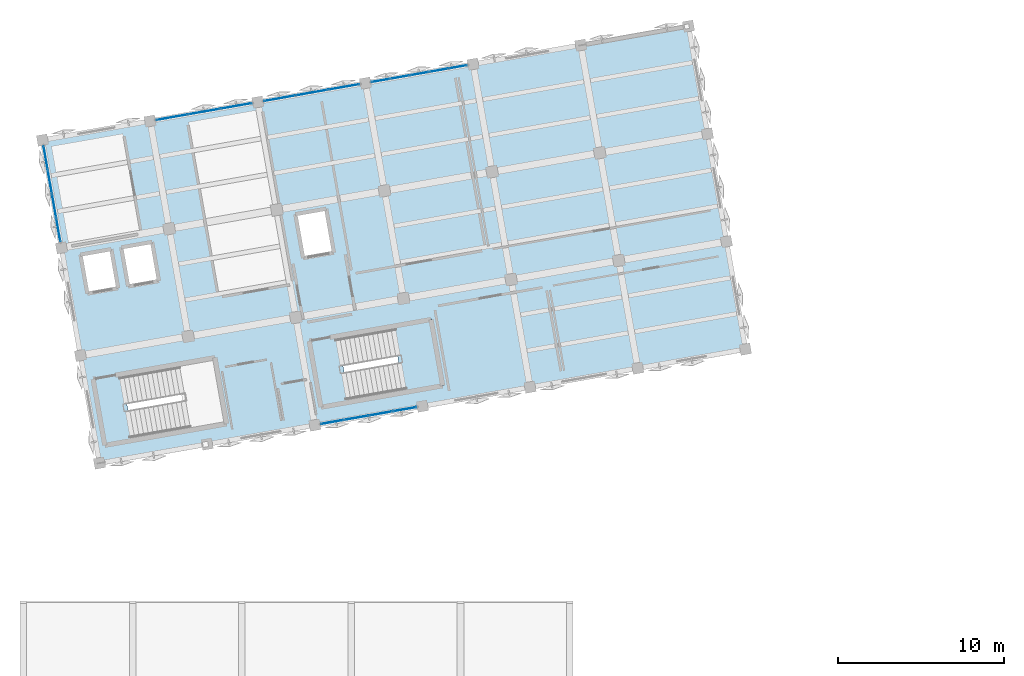
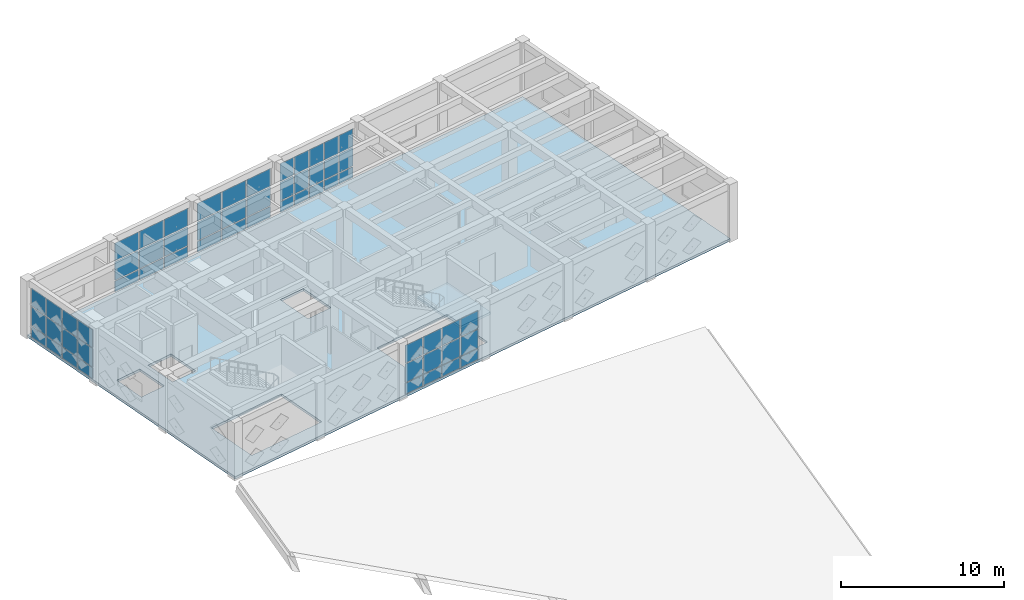
# One storey, part 23 of 39: 57 plates, 2 slabs, 6 elements without a shape of their own.
"""IFC4 building model written with IfcOpenShell, lengths in metres."""

from ifc_helpers import new_model, si_unit, direction, frame, origin, origin_2d, place, context, subcontext, project, spatial, polyline, rectangle, outline, extrude, material, layer, layer_set, type_object, element, aggregate, save


model = new_model("IFC4")

# Units and contexts
model_context = context("Model", 3, precision=1e-05, world=origin(), true_north=direction((0.0, 1.0)))
body_context = subcontext(model_context, "Body", "Model", "MODEL_VIEW")
ifc_project = project(units=[si_unit("LENGTHUNIT", "METRE"), si_unit("AREAUNIT", "SQUARE_METRE"), si_unit("VOLUMEUNIT", "CUBIC_METRE"), si_unit("PLANEANGLEUNIT", "RADIAN"), si_unit("MASSUNIT", "GRAM", prefix="KILO")], contexts=[model_context])

# Site, building, storey
site_placement = place(None, origin())
site = spatial("IfcSite", under=ifc_project, at=site_placement, CompositionType="ELEMENT")
building_placement = place(site_placement, origin())
building = spatial("IfcBuilding", under=site, at=building_placement, Name="Kharisveld Research Institute", CompositionType="ELEMENT")
storey_placement = place(building_placement, frame((0.0, 0.0, 23.10009765625)))
storey = spatial("IfcBuildingStorey", under=building, at=storey_placement, Name="L05", CompositionType="ELEMENT", Elevation=23.10009765625)

# Curtain wall, plates
ifc_material_1 = material(Name="Thermally Broken Aluminium Curtain Wall", Category="aluminium")
ifc_layer_1 = layer(ifc_material_1, 0.159912109375)
ifc_layer_set_1 = layer_set([ifc_layer_1], Name="CW_SYS_04")
curtain_wall_type_1 = type_object("IfcCurtainWallType", Name="CW_SYS_04", PredefinedType="NOTDEFINED", material=ifc_layer_set_1)
curtain_wall_1_placement = place(storey_placement, origin())
curtain_wall_1 = element("IfcCurtainWall", 1, at=curtain_wall_1_placement, inside=storey, type_object=curtain_wall_type_1, Name="CW:V1:L05:W2", PredefinedType="NOTDEFINED")
ifc_material_2 = material(Name="Low-E Double Glazing", Category="glass")
ifc_layer_2 = layer(ifc_material_2, 0.028076171875)
ifc_layer_set_2 = layer_set([ifc_layer_2], Name="CW_PNL_GLZ")
plate_type_1 = type_object("IfcPlateType", Name="CW_PNL_GLZ", PredefinedType="CURTAIN_PANEL", material=ifc_layer_set_2)
plate_1_placement = place(storey_placement, frame((2.719970703125, 49.075439453125, 0.06494140625), z_axis=(0.0, 0.0, 1.0), x_axis=(-0.173648266375, 0.984807737371, 0.0)))
plate_1 = element("IfcPlate", 2, at=plate_1_placement, type_object=plate_type_1, Name="CW-04 panel 1.1", PredefinedType="CURTAIN_PANEL", context=body_context, shape_type="SweptSolid", body=[
    extrude(rectangle(XDim=1.385009765625, YDim=0.028076171875, at=origin_2d()), origin(), (0.0, 0.0, 1.0), 0.802490234375),
])
plate_2_placement = place(storey_placement, frame((2.719970703125, 49.075439453125, 0.9326171875), z_axis=(0.0, 0.0, 1.0), x_axis=(-0.173648266375, 0.984807737371, 0.0)))
plate_2 = element("IfcPlate", 3, at=plate_2_placement, type_object=plate_type_1, Name="CW-04 panel 1.2", PredefinedType="CURTAIN_PANEL", context=body_context, shape_type="SweptSolid", body=[
    extrude(rectangle(XDim=1.385009765625, YDim=0.028076171875, at=origin_2d()), origin(), (0.0, 0.0, 1.0), 1.385009765625),
])
plate_3_placement = place(storey_placement, frame((2.719970703125, 49.075439453125, 2.38232421875), z_axis=(0.0, 0.0, 1.0), x_axis=(-0.173648266375, 0.984807737371, 0.0)))
plate_3 = element("IfcPlate", 4, at=plate_3_placement, type_object=plate_type_1, Name="CW-04 panel 1.3", PredefinedType="CURTAIN_PANEL", context=body_context, shape_type="SweptSolid", body=[
    extrude(rectangle(XDim=1.385009765625, YDim=0.028076171875, at=origin_2d()), origin(), (0.0, 0.0, 1.0), 1.33251953125),
])
plate_4_placement = place(storey_placement, frame((2.464111328125, 50.525634765625, 0.06494140625), z_axis=(0.0, 0.0, 1.0), x_axis=(-0.173648266375, 0.984807737371, 0.0)))
plate_4 = element("IfcPlate", 5, at=plate_4_placement, type_object=plate_type_1, Name="CW-04 panel 2.1", PredefinedType="CURTAIN_PANEL", context=body_context, shape_type="SweptSolid", body=[
    extrude(rectangle(XDim=1.419921875, YDim=0.028076171875, at=origin_2d()), origin(), (0.0, 0.0, 1.0), 0.802490234375),
])
plate_5_placement = place(storey_placement, frame((2.464111328125, 50.525634765625, 0.9326171875), z_axis=(0.0, 0.0, 1.0), x_axis=(-0.173648266375, 0.984807737371, 0.0)))
plate_5 = element("IfcPlate", 6, at=plate_5_placement, type_object=plate_type_1, Name="CW-04 panel 2.2", PredefinedType="CURTAIN_PANEL", context=body_context, shape_type="SweptSolid", body=[
    extrude(rectangle(XDim=1.419921875, YDim=0.028076171875, at=origin_2d()), origin(), (0.0, 0.0, 1.0), 1.385009765625),
])
plate_6_placement = place(storey_placement, frame((2.464111328125, 50.525634765625, 2.38232421875), z_axis=(0.0, 0.0, 1.0), x_axis=(-0.173648266375, 0.984807737371, 0.0)))
plate_6 = element("IfcPlate", 7, at=plate_6_placement, type_object=plate_type_1, Name="CW-04 panel 2.3", PredefinedType="CURTAIN_PANEL", context=body_context, shape_type="SweptSolid", body=[
    extrude(rectangle(XDim=1.419921875, YDim=0.028076171875, at=origin_2d()), origin(), (0.0, 0.0, 1.0), 1.33251953125),
])
plate_7_placement = place(storey_placement, frame((2.205322265625, 51.992919921875, 0.06494140625), z_axis=(0.0, 0.0, 1.0), x_axis=(-0.173648266375, 0.984807737371, 0.0)))
plate_7 = element("IfcPlate", 8, at=plate_7_placement, type_object=plate_type_1, Name="CW-04 panel 3.1", PredefinedType="CURTAIN_PANEL", context=body_context, shape_type="SweptSolid", body=[
    extrude(rectangle(XDim=1.419921875, YDim=0.028076171875, at=origin_2d()), origin(), (0.0, 0.0, 1.0), 0.802490234375),
])
plate_8_placement = place(storey_placement, frame((2.205322265625, 51.992919921875, 0.9326171875), z_axis=(0.0, 0.0, 1.0), x_axis=(-0.173648266375, 0.984807737371, 0.0)))
plate_8 = element("IfcPlate", 9, at=plate_8_placement, type_object=plate_type_1, Name="CW-04 panel 3.2", PredefinedType="CURTAIN_PANEL", context=body_context, shape_type="SweptSolid", body=[
    extrude(rectangle(XDim=1.419921875, YDim=0.028076171875, at=origin_2d()), origin(), (0.0, 0.0, 1.0), 1.385009765625),
])
plate_9_placement = place(storey_placement, frame((2.205322265625, 51.992919921875, 2.38232421875), z_axis=(0.0, 0.0, 1.0), x_axis=(-0.173648266375, 0.984807737371, 0.0)))
plate_9 = element("IfcPlate", 10, at=plate_9_placement, type_object=plate_type_1, Name="CW-04 panel 3.3", PredefinedType="CURTAIN_PANEL", context=body_context, shape_type="SweptSolid", body=[
    extrude(rectangle(XDim=1.419921875, YDim=0.028076171875, at=origin_2d()), origin(), (0.0, 0.0, 1.0), 1.33251953125),
])
plate_10_placement = place(storey_placement, frame((1.94970703125, 53.443115234375, 0.06494140625), z_axis=(0.0, 0.0, 1.0), x_axis=(-0.173648266375, 0.984807737371, 0.0)))
plate_10 = element("IfcPlate", 11, at=plate_10_placement, type_object=plate_type_1, Name="CW-04 panel 4.1", PredefinedType="CURTAIN_PANEL", context=body_context, shape_type="SweptSolid", body=[
    extrude(rectangle(XDim=1.385009765625, YDim=0.028076171875, at=origin_2d()), origin(), (0.0, 0.0, 1.0), 0.802490234375),
])
plate_11_placement = place(storey_placement, frame((1.94970703125, 53.443115234375, 0.9326171875), z_axis=(0.0, 0.0, 1.0), x_axis=(-0.173648266375, 0.984807737371, 0.0)))
plate_11 = element("IfcPlate", 12, at=plate_11_placement, type_object=plate_type_1, Name="CW-04 panel 4.2", PredefinedType="CURTAIN_PANEL", context=body_context, shape_type="SweptSolid", body=[
    extrude(rectangle(XDim=1.385009765625, YDim=0.028076171875, at=origin_2d()), origin(), (0.0, 0.0, 1.0), 1.385009765625),
])
plate_12_placement = place(storey_placement, frame((1.94970703125, 53.443115234375, 2.38232421875), z_axis=(0.0, 0.0, 1.0), x_axis=(-0.173648266375, 0.984807737371, 0.0)))
plate_12 = element("IfcPlate", 13, at=plate_12_placement, type_object=plate_type_1, Name="CW-04 panel 4.3", PredefinedType="CURTAIN_PANEL", context=body_context, shape_type="SweptSolid", body=[
    extrude(rectangle(XDim=1.385009765625, YDim=0.028076171875, at=origin_2d()), origin(), (0.0, 0.0, 1.0), 1.33251953125),
])
aggregate(curtain_wall_1, [plate_1, plate_2, plate_3, plate_4, plate_5, plate_6, plate_7, plate_8, plate_9, plate_10, plate_11, plate_12])

ifc_material_3 = material(Name="Thermally Broken Aluminium Curtain Wall", Category="aluminium")
ifc_layer_3 = layer(ifc_material_3, 0.159912109375)
ifc_layer_set_3 = layer_set([ifc_layer_3], Name="CW_SYS_05")
curtain_wall_type_2 = type_object("IfcCurtainWallType", Name="CW_SYS_05", PredefinedType="NOTDEFINED", material=ifc_layer_set_3)
curtain_wall_2_placement = place(storey_placement, origin())
curtain_wall_2 = element("IfcCurtainWall", 14, at=curtain_wall_2_placement, inside=storey, type_object=curtain_wall_type_2, Name="CW:V1:L05:N1", PredefinedType="NOTDEFINED")
plate_13_placement = place(storey_placement, frame((9.572021484375, 55.886474609375, 0.06494140625), z_axis=(0.0, 0.0, 1.0), x_axis=(0.984807732312, 0.173648295062, 0.0)))
plate_13 = element("IfcPlate", 15, at=plate_13_placement, type_object=plate_type_1, Name="CW-05 panel 1.1", PredefinedType="CURTAIN_PANEL", context=body_context, shape_type="SweptSolid", body=[
    extrude(rectangle(XDim=1.881591796875, YDim=0.028076171875, at=origin_2d()), origin(), (0.0, 0.0, 1.0), 0.802490234375),
])
plate_14_placement = place(storey_placement, frame((9.572021484375, 55.886474609375, 0.9326171875), z_axis=(0.0, 0.0, 1.0), x_axis=(0.984807732312, 0.173648295062, 0.0)))
plate_14 = element("IfcPlate", 16, at=plate_14_placement, type_object=plate_type_1, Name="CW-05 panel 1.2", PredefinedType="CURTAIN_PANEL", context=body_context, shape_type="SweptSolid", body=[
    extrude(rectangle(XDim=1.881591796875, YDim=0.028076171875, at=origin_2d()), origin(), (0.0, 0.0, 1.0), 1.385009765625),
])
plate_15_placement = place(storey_placement, frame((9.572021484375, 55.886474609375, 2.38232421875), z_axis=(0.0, 0.0, 1.0), x_axis=(0.984807732312, 0.173648295062, 0.0)))
plate_15 = element("IfcPlate", 17, at=plate_15_placement, type_object=plate_type_1, Name="CW-05 panel 1.3", PredefinedType="CURTAIN_PANEL", context=body_context, shape_type="SweptSolid", body=[
    extrude(rectangle(XDim=1.881591796875, YDim=0.028076171875, at=origin_2d()), origin(), (0.0, 0.0, 1.0), 1.33251953125),
])
plate_16_placement = place(storey_placement, frame((11.511474609375, 56.228271484375, 0.06494140625), z_axis=(0.0, 0.0, 1.0), x_axis=(0.984807732312, 0.173648295062, 0.0)))
plate_16 = element("IfcPlate", 18, at=plate_16_placement, type_object=plate_type_1, Name="CW-05 panel 2.1", PredefinedType="CURTAIN_PANEL", context=body_context, shape_type="SweptSolid", body=[
    extrude(rectangle(XDim=1.916748046875, YDim=0.028076171875, at=origin_2d()), origin(), (0.0, 0.0, 1.0), 0.802490234375),
])
plate_17_placement = place(storey_placement, frame((11.511474609375, 56.228271484375, 0.9326171875), z_axis=(0.0, 0.0, 1.0), x_axis=(0.984807732312, 0.173648295062, 0.0)))
plate_17 = element("IfcPlate", 19, at=plate_17_placement, type_object=plate_type_1, Name="CW-05 panel 2.2", PredefinedType="CURTAIN_PANEL", context=body_context, shape_type="SweptSolid", body=[
    extrude(rectangle(XDim=1.916748046875, YDim=0.028076171875, at=origin_2d()), origin(), (0.0, 0.0, 1.0), 1.385009765625),
])
plate_18_placement = place(storey_placement, frame((11.511474609375, 56.228271484375, 2.38232421875), z_axis=(0.0, 0.0, 1.0), x_axis=(0.984807732312, 0.173648295062, 0.0)))
plate_18 = element("IfcPlate", 20, at=plate_18_placement, type_object=plate_type_1, Name="CW-05 panel 2.3", PredefinedType="CURTAIN_PANEL", context=body_context, shape_type="SweptSolid", body=[
    extrude(rectangle(XDim=1.916748046875, YDim=0.028076171875, at=origin_2d()), origin(), (0.0, 0.0, 1.0), 1.33251953125),
])
plate_19_placement = place(storey_placement, frame((13.45068359375, 56.5703125, 0.06494140625), z_axis=(0.0, 0.0, 1.0), x_axis=(0.984807732312, 0.173648295062, 0.0)))
plate_19 = element("IfcPlate", 21, at=plate_19_placement, type_object=plate_type_1, Name="CW-05 panel 3.1", PredefinedType="CURTAIN_PANEL", context=body_context, shape_type="SweptSolid", body=[
    extrude(rectangle(XDim=1.881591796875, YDim=0.028076171875, at=origin_2d()), origin(), (0.0, 0.0, 1.0), 0.802490234375),
])
plate_20_placement = place(storey_placement, frame((13.45068359375, 56.5703125, 0.9326171875), z_axis=(0.0, 0.0, 1.0), x_axis=(0.984807732312, 0.173648295062, 0.0)))
plate_20 = element("IfcPlate", 22, at=plate_20_placement, type_object=plate_type_1, Name="CW-05 panel 3.2", PredefinedType="CURTAIN_PANEL", context=body_context, shape_type="SweptSolid", body=[
    extrude(rectangle(XDim=1.881591796875, YDim=0.028076171875, at=origin_2d()), origin(), (0.0, 0.0, 1.0), 1.385009765625),
])
plate_21_placement = place(storey_placement, frame((13.45068359375, 56.5703125, 2.38232421875), z_axis=(0.0, 0.0, 1.0), x_axis=(0.984807732312, 0.173648295062, 0.0)))
plate_21 = element("IfcPlate", 23, at=plate_21_placement, type_object=plate_type_1, Name="CW-05 panel 3.3", PredefinedType="CURTAIN_PANEL", context=body_context, shape_type="SweptSolid", body=[
    extrude(rectangle(XDim=1.881591796875, YDim=0.028076171875, at=origin_2d()), origin(), (0.0, 0.0, 1.0), 1.33251953125),
])
aggregate(curtain_wall_2, [plate_13, plate_14, plate_15, plate_16, plate_17, plate_18, plate_19, plate_20, plate_21])

ifc_material_4 = material(Name="Thermally Broken Aluminium Curtain Wall", Category="aluminium")
ifc_layer_4 = layer(ifc_material_4, 0.159912109375)
ifc_layer_set_4 = layer_set([ifc_layer_4], Name="CW_SYS_06")
curtain_wall_type_3 = type_object("IfcCurtainWallType", Name="CW_SYS_06", PredefinedType="NOTDEFINED", material=ifc_layer_set_4)
curtain_wall_3_placement = place(storey_placement, origin())
curtain_wall_3 = element("IfcCurtainWall", 24, at=curtain_wall_3_placement, inside=storey, type_object=curtain_wall_type_3, Name="CW:V1:L05:N2", PredefinedType="NOTDEFINED")
plate_22_placement = place(storey_placement, frame((16.07177734375, 57.032470703125, 0.06494140625), z_axis=(0.0, 0.0, 1.0), x_axis=(0.984807737371, 0.173648266375, 0.0)))
plate_22 = element("IfcPlate", 25, at=plate_22_placement, type_object=plate_type_1, Name="CW-06 panel 1.1", PredefinedType="CURTAIN_PANEL", context=body_context, shape_type="SweptSolid", body=[
    extrude(rectangle(XDim=1.881591796875, YDim=0.028076171875, at=origin_2d()), origin(), (0.0, 0.0, 1.0), 0.802490234375),
])
plate_23_placement = place(storey_placement, frame((16.07177734375, 57.032470703125, 0.9326171875), z_axis=(0.0, 0.0, 1.0), x_axis=(0.984807737371, 0.173648266375, 0.0)))
plate_23 = element("IfcPlate", 26, at=plate_23_placement, type_object=plate_type_1, Name="CW-06 panel 1.2", PredefinedType="CURTAIN_PANEL", context=body_context, shape_type="SweptSolid", body=[
    extrude(rectangle(XDim=1.881591796875, YDim=0.028076171875, at=origin_2d()), origin(), (0.0, 0.0, 1.0), 1.385009765625),
])
plate_24_placement = place(storey_placement, frame((16.07177734375, 57.032470703125, 2.38232421875), z_axis=(0.0, 0.0, 1.0), x_axis=(0.984807737371, 0.173648266375, 0.0)))
plate_24 = element("IfcPlate", 27, at=plate_24_placement, type_object=plate_type_1, Name="CW-06 panel 1.3", PredefinedType="CURTAIN_PANEL", context=body_context, shape_type="SweptSolid", body=[
    extrude(rectangle(XDim=1.881591796875, YDim=0.028076171875, at=origin_2d()), origin(), (0.0, 0.0, 1.0), 1.33251953125),
])
plate_25_placement = place(storey_placement, frame((18.010986328125, 57.374267578125, 0.06494140625), z_axis=(0.0, 0.0, 1.0), x_axis=(0.984807737371, 0.173648266375, 0.0)))
plate_25 = element("IfcPlate", 28, at=plate_25_placement, type_object=plate_type_1, Name="CW-06 panel 2.1", PredefinedType="CURTAIN_PANEL", context=body_context, shape_type="SweptSolid", body=[
    extrude(rectangle(XDim=1.916748046875, YDim=0.028076171875, at=origin_2d()), origin(), (0.0, 0.0, 1.0), 0.802490234375),
])
plate_26_placement = place(storey_placement, frame((18.010986328125, 57.374267578125, 0.9326171875), z_axis=(0.0, 0.0, 1.0), x_axis=(0.984807737371, 0.173648266375, 0.0)))
plate_26 = element("IfcPlate", 29, at=plate_26_placement, type_object=plate_type_1, Name="CW-06 panel 2.2", PredefinedType="CURTAIN_PANEL", context=body_context, shape_type="SweptSolid", body=[
    extrude(rectangle(XDim=1.916748046875, YDim=0.028076171875, at=origin_2d()), origin(), (0.0, 0.0, 1.0), 1.385009765625),
])
plate_27_placement = place(storey_placement, frame((18.010986328125, 57.374267578125, 2.38232421875), z_axis=(0.0, 0.0, 1.0), x_axis=(0.984807737371, 0.173648266375, 0.0)))
plate_27 = element("IfcPlate", 30, at=plate_27_placement, type_object=plate_type_1, Name="CW-06 panel 2.3", PredefinedType="CURTAIN_PANEL", context=body_context, shape_type="SweptSolid", body=[
    extrude(rectangle(XDim=1.916748046875, YDim=0.028076171875, at=origin_2d()), origin(), (0.0, 0.0, 1.0), 1.33251953125),
])
plate_28_placement = place(storey_placement, frame((19.950439453125, 57.71630859375, 0.06494140625), z_axis=(0.0, 0.0, 1.0), x_axis=(0.984807737371, 0.173648266375, 0.0)))
plate_28 = element("IfcPlate", 31, at=plate_28_placement, type_object=plate_type_1, Name="CW-06 panel 3.1", PredefinedType="CURTAIN_PANEL", context=body_context, shape_type="SweptSolid", body=[
    extrude(rectangle(XDim=1.881591796875, YDim=0.028076171875, at=origin_2d()), origin(), (0.0, 0.0, 1.0), 0.802490234375),
])
plate_29_placement = place(storey_placement, frame((19.950439453125, 57.71630859375, 0.9326171875), z_axis=(0.0, 0.0, 1.0), x_axis=(0.984807737371, 0.173648266375, 0.0)))
plate_29 = element("IfcPlate", 32, at=plate_29_placement, type_object=plate_type_1, Name="CW-06 panel 3.2", PredefinedType="CURTAIN_PANEL", context=body_context, shape_type="SweptSolid", body=[
    extrude(rectangle(XDim=1.881591796875, YDim=0.028076171875, at=origin_2d()), origin(), (0.0, 0.0, 1.0), 1.385009765625),
])
plate_30_placement = place(storey_placement, frame((19.950439453125, 57.71630859375, 2.38232421875), z_axis=(0.0, 0.0, 1.0), x_axis=(0.984807737371, 0.173648266375, 0.0)))
plate_30 = element("IfcPlate", 33, at=plate_30_placement, type_object=plate_type_1, Name="CW-06 panel 3.3", PredefinedType="CURTAIN_PANEL", context=body_context, shape_type="SweptSolid", body=[
    extrude(rectangle(XDim=1.881591796875, YDim=0.028076171875, at=origin_2d()), origin(), (0.0, 0.0, 1.0), 1.33251953125),
])
aggregate(curtain_wall_3, [plate_22, plate_23, plate_24, plate_25, plate_26, plate_27, plate_28, plate_29, plate_30])

ifc_material_5 = material(Name="Thermally Broken Aluminium Curtain Wall", Category="aluminium")
ifc_layer_5 = layer(ifc_material_5, 0.159912109375)
ifc_layer_set_5 = layer_set([ifc_layer_5], Name="CW_SYS_01")
curtain_wall_type_4 = type_object("IfcCurtainWallType", Name="CW_SYS_01", PredefinedType="NOTDEFINED", material=ifc_layer_set_5)
curtain_wall_4_placement = place(storey_placement, origin())
curtain_wall_4 = element("IfcCurtainWall", 34, at=curtain_wall_4_placement, inside=storey, type_object=curtain_wall_type_4, Name="CW:V1:L05:N3", PredefinedType="NOTDEFINED")
plate_31_placement = place(storey_placement, frame((22.18017578125, 58.109619140625, 0.06494140625), z_axis=(0.0, 0.0, 1.0), x_axis=(0.984807732312, 0.173648295062, 0.0)))
plate_31 = element("IfcPlate", 35, at=plate_31_placement, type_object=plate_type_1, Name="CW-01 panel 1.1", PredefinedType="CURTAIN_PANEL", context=body_context, shape_type="SweptSolid", body=[
    extrude(rectangle(XDim=1.0869140625, YDim=0.028076171875, at=origin_2d()), origin(), (0.0, 0.0, 1.0), 0.802490234375),
])
plate_32_placement = place(storey_placement, frame((22.18017578125, 58.109619140625, 0.9326171875), z_axis=(0.0, 0.0, 1.0), x_axis=(0.984807732312, 0.173648295062, 0.0)))
plate_32 = element("IfcPlate", 36, at=plate_32_placement, type_object=plate_type_1, Name="CW-01 panel 1.2", PredefinedType="CURTAIN_PANEL", context=body_context, shape_type="SweptSolid", body=[
    extrude(rectangle(XDim=1.0869140625, YDim=0.028076171875, at=origin_2d()), origin(), (0.0, 0.0, 1.0), 1.385009765625),
])
plate_33_placement = place(storey_placement, frame((22.18017578125, 58.109619140625, 2.38232421875), z_axis=(0.0, 0.0, 1.0), x_axis=(0.984807732312, 0.173648295062, 0.0)))
plate_33 = element("IfcPlate", 37, at=plate_33_placement, type_object=plate_type_1, Name="CW-01 panel 1.3", PredefinedType="CURTAIN_PANEL", context=body_context, shape_type="SweptSolid", body=[
    extrude(rectangle(XDim=1.0869140625, YDim=0.028076171875, at=origin_2d()), origin(), (0.0, 0.0, 1.0), 1.33251953125),
])
plate_34_placement = place(storey_placement, frame((23.3369140625, 58.3134765625, 0.06494140625), z_axis=(0.0, 0.0, 1.0), x_axis=(0.984807732312, 0.173648295062, 0.0)))
plate_34 = element("IfcPlate", 38, at=plate_34_placement, type_object=plate_type_1, Name="CW-01 panel 2.1", PredefinedType="CURTAIN_PANEL", context=body_context, shape_type="SweptSolid", body=[
    extrude(rectangle(XDim=1.1220703125, YDim=0.028076171875, at=origin_2d()), origin(), (0.0, 0.0, 1.0), 0.802490234375),
])
plate_35_placement = place(storey_placement, frame((23.3369140625, 58.3134765625, 0.9326171875), z_axis=(0.0, 0.0, 1.0), x_axis=(0.984807732312, 0.173648295062, 0.0)))
plate_35 = element("IfcPlate", 39, at=plate_35_placement, type_object=plate_type_1, Name="CW-01 panel 2.2", PredefinedType="CURTAIN_PANEL", context=body_context, shape_type="SweptSolid", body=[
    extrude(rectangle(XDim=1.1220703125, YDim=0.028076171875, at=origin_2d()), origin(), (0.0, 0.0, 1.0), 1.385009765625),
])
plate_36_placement = place(storey_placement, frame((23.3369140625, 58.3134765625, 2.38232421875), z_axis=(0.0, 0.0, 1.0), x_axis=(0.984807732312, 0.173648295062, 0.0)))
plate_36 = element("IfcPlate", 40, at=plate_36_placement, type_object=plate_type_1, Name="CW-01 panel 2.3", PredefinedType="CURTAIN_PANEL", context=body_context, shape_type="SweptSolid", body=[
    extrude(rectangle(XDim=1.1220703125, YDim=0.028076171875, at=origin_2d()), origin(), (0.0, 0.0, 1.0), 1.33251953125),
])
plate_37_placement = place(storey_placement, frame((24.5107421875, 58.5205078125, 0.06494140625), z_axis=(0.0, 0.0, 1.0), x_axis=(0.984807732312, 0.173648295062, 0.0)))
plate_37 = element("IfcPlate", 41, at=plate_37_placement, type_object=plate_type_1, Name="CW-01 panel 3.1", PredefinedType="CURTAIN_PANEL", context=body_context, shape_type="SweptSolid", body=[
    extrude(rectangle(XDim=1.1220703125, YDim=0.028076171875, at=origin_2d()), origin(), (0.0, 0.0, 1.0), 0.802490234375),
])
plate_38_placement = place(storey_placement, frame((24.5107421875, 58.5205078125, 0.9326171875), z_axis=(0.0, 0.0, 1.0), x_axis=(0.984807732312, 0.173648295062, 0.0)))
plate_38 = element("IfcPlate", 42, at=plate_38_placement, type_object=plate_type_1, Name="CW-01 panel 3.2", PredefinedType="CURTAIN_PANEL", context=body_context, shape_type="SweptSolid", body=[
    extrude(rectangle(XDim=1.1220703125, YDim=0.028076171875, at=origin_2d()), origin(), (0.0, 0.0, 1.0), 1.385009765625),
])
plate_39_placement = place(storey_placement, frame((24.5107421875, 58.5205078125, 2.38232421875), z_axis=(0.0, 0.0, 1.0), x_axis=(0.984807732312, 0.173648295062, 0.0)))
plate_39 = element("IfcPlate", 43, at=plate_39_placement, type_object=plate_type_1, Name="CW-01 panel 3.3", PredefinedType="CURTAIN_PANEL", context=body_context, shape_type="SweptSolid", body=[
    extrude(rectangle(XDim=1.1220703125, YDim=0.028076171875, at=origin_2d()), origin(), (0.0, 0.0, 1.0), 1.33251953125),
])
plate_40_placement = place(storey_placement, frame((25.684814453125, 58.7275390625, 0.06494140625), z_axis=(0.0, 0.0, 1.0), x_axis=(0.984807732312, 0.173648295062, 0.0)))
plate_40 = element("IfcPlate", 44, at=plate_40_placement, type_object=plate_type_1, Name="CW-01 panel 4.1", PredefinedType="CURTAIN_PANEL", context=body_context, shape_type="SweptSolid", body=[
    extrude(rectangle(XDim=1.1220703125, YDim=0.028076171875, at=origin_2d()), origin(), (0.0, 0.0, 1.0), 0.802490234375),
])
plate_41_placement = place(storey_placement, frame((25.684814453125, 58.7275390625, 0.9326171875), z_axis=(0.0, 0.0, 1.0), x_axis=(0.984807732312, 0.173648295062, 0.0)))
plate_41 = element("IfcPlate", 45, at=plate_41_placement, type_object=plate_type_1, Name="CW-01 panel 4.2", PredefinedType="CURTAIN_PANEL", context=body_context, shape_type="SweptSolid", body=[
    extrude(rectangle(XDim=1.1220703125, YDim=0.028076171875, at=origin_2d()), origin(), (0.0, 0.0, 1.0), 1.385009765625),
])
plate_42_placement = place(storey_placement, frame((25.684814453125, 58.7275390625, 2.38232421875), z_axis=(0.0, 0.0, 1.0), x_axis=(0.984807732312, 0.173648295062, 0.0)))
plate_42 = element("IfcPlate", 46, at=plate_42_placement, type_object=plate_type_1, Name="CW-01 panel 4.3", PredefinedType="CURTAIN_PANEL", context=body_context, shape_type="SweptSolid", body=[
    extrude(rectangle(XDim=1.1220703125, YDim=0.028076171875, at=origin_2d()), origin(), (0.0, 0.0, 1.0), 1.33251953125),
])
plate_43_placement = place(storey_placement, frame((26.84130859375, 58.931396484375, 0.06494140625), z_axis=(0.0, 0.0, 1.0), x_axis=(0.984807732312, 0.173648295062, 0.0)))
plate_43 = element("IfcPlate", 47, at=plate_43_placement, type_object=plate_type_1, Name="CW-01 panel 5.1", PredefinedType="CURTAIN_PANEL", context=body_context, shape_type="SweptSolid", body=[
    extrude(rectangle(XDim=1.0869140625, YDim=0.028076171875, at=origin_2d()), origin(), (0.0, 0.0, 1.0), 0.802490234375),
])
plate_44_placement = place(storey_placement, frame((26.84130859375, 58.931396484375, 0.9326171875), z_axis=(0.0, 0.0, 1.0), x_axis=(0.984807732312, 0.173648295062, 0.0)))
plate_44 = element("IfcPlate", 48, at=plate_44_placement, type_object=plate_type_1, Name="CW-01 panel 5.2", PredefinedType="CURTAIN_PANEL", context=body_context, shape_type="SweptSolid", body=[
    extrude(rectangle(XDim=1.0869140625, YDim=0.028076171875, at=origin_2d()), origin(), (0.0, 0.0, 1.0), 1.385009765625),
])
plate_45_placement = place(storey_placement, frame((26.84130859375, 58.931396484375, 2.38232421875), z_axis=(0.0, 0.0, 1.0), x_axis=(0.984807732312, 0.173648295062, 0.0)))
plate_45 = element("IfcPlate", 49, at=plate_45_placement, type_object=plate_type_1, Name="CW-01 panel 5.3", PredefinedType="CURTAIN_PANEL", context=body_context, shape_type="SweptSolid", body=[
    extrude(rectangle(XDim=1.0869140625, YDim=0.028076171875, at=origin_2d()), origin(), (0.0, 0.0, 1.0), 1.33251953125),
])
aggregate(curtain_wall_4, [plate_31, plate_32, plate_33, plate_34, plate_35, plate_36, plate_37, plate_38, plate_39, plate_40, plate_41, plate_42, plate_43, plate_44, plate_45])

ifc_material_6 = material(Name="Thermally Broken Aluminium Curtain Wall", Category="aluminium")
ifc_layer_6 = layer(ifc_material_6, 0.159912109375)
ifc_layer_set_6 = layer_set([ifc_layer_6], Name="CW_SYS_02")
curtain_wall_type_5 = type_object("IfcCurtainWallType", Name="CW_SYS_02", PredefinedType="NOTDEFINED", material=ifc_layer_set_6)
curtain_wall_5_placement = place(storey_placement, origin())
curtain_wall_5 = element("IfcCurtainWall", 50, at=curtain_wall_5_placement, inside=storey, type_object=curtain_wall_type_5, Name="CW:V1:L05:S3", PredefinedType="NOTDEFINED")
ifc_material_7 = material(Name="Insulated Spandrel Glazing", Category="glass")
ifc_layer_7 = layer(ifc_material_7, 0.035888671875)
ifc_layer_set_7 = layer_set([ifc_layer_7], Name="CW_PNL_SPD")
plate_type_2 = type_object("IfcPlateType", Name="CW_PNL_SPD", PredefinedType="CURTAIN_PANEL", material=ifc_layer_set_7)
plate_46_placement = place(storey_placement, frame((23.633056640625, 38.26025390625, 0.06494140625), z_axis=(0.0, 0.0, 1.0), x_axis=(-0.984807737371, -0.173648266375, 0.0)))
plate_46 = element("IfcPlate", 51, at=plate_46_placement, type_object=plate_type_2, Name="CW-02 panel 1.1", PredefinedType="CURTAIN_PANEL", context=body_context, shape_type="SweptSolid", body=[
    extrude(rectangle(XDim=1.385009765625, YDim=0.035888671875, at=origin_2d()), origin(), (0.0, 0.0, 1.0), 0.802490234375),
])
plate_47_placement = place(storey_placement, frame((23.633056640625, 38.26025390625, 0.9326171875), z_axis=(0.0, 0.0, 1.0), x_axis=(-0.984807737371, -0.173648266375, 0.0)))
plate_47 = element("IfcPlate", 52, at=plate_47_placement, type_object=plate_type_2, Name="CW-02 panel 1.2", PredefinedType="CURTAIN_PANEL", context=body_context, shape_type="SweptSolid", body=[
    extrude(rectangle(XDim=1.385009765625, YDim=0.035888671875, at=origin_2d()), origin(), (0.0, 0.0, 1.0), 1.385009765625),
])
plate_48_placement = place(storey_placement, frame((23.633056640625, 38.26025390625, 2.38232421875), z_axis=(0.0, 0.0, 1.0), x_axis=(-0.984807737371, -0.173648266375, 0.0)))
plate_48 = element("IfcPlate", 53, at=plate_48_placement, type_object=plate_type_2, Name="CW-02 panel 1.3", PredefinedType="CURTAIN_PANEL", context=body_context, shape_type="SweptSolid", body=[
    extrude(rectangle(XDim=1.385009765625, YDim=0.035888671875, at=origin_2d()), origin(), (0.0, 0.0, 1.0), 1.33251953125),
])
plate_49_placement = place(storey_placement, frame((22.18310546875, 38.004638671875, 0.06494140625), z_axis=(0.0, 0.0, 1.0), x_axis=(-0.984807737371, -0.173648266375, 0.0)))
plate_49 = element("IfcPlate", 54, at=plate_49_placement, type_object=plate_type_2, Name="CW-02 panel 2.1", PredefinedType="CURTAIN_PANEL", context=body_context, shape_type="SweptSolid", body=[
    extrude(rectangle(XDim=1.419921875, YDim=0.035888671875, at=origin_2d()), origin(), (0.0, 0.0, 1.0), 0.802490234375),
])
plate_50_placement = place(storey_placement, frame((22.18310546875, 38.004638671875, 0.9326171875), z_axis=(0.0, 0.0, 1.0), x_axis=(-0.984807737371, -0.173648266375, 0.0)))
plate_50 = element("IfcPlate", 55, at=plate_50_placement, type_object=plate_type_2, Name="CW-02 panel 2.2", PredefinedType="CURTAIN_PANEL", context=body_context, shape_type="SweptSolid", body=[
    extrude(rectangle(XDim=1.419921875, YDim=0.035888671875, at=origin_2d()), origin(), (0.0, 0.0, 1.0), 1.385009765625),
])
plate_51_placement = place(storey_placement, frame((22.18310546875, 38.004638671875, 2.38232421875), z_axis=(0.0, 0.0, 1.0), x_axis=(-0.984807737371, -0.173648266375, 0.0)))
plate_51 = element("IfcPlate", 56, at=plate_51_placement, type_object=plate_type_2, Name="CW-02 panel 2.3", PredefinedType="CURTAIN_PANEL", context=body_context, shape_type="SweptSolid", body=[
    extrude(rectangle(XDim=1.419921875, YDim=0.035888671875, at=origin_2d()), origin(), (0.0, 0.0, 1.0), 1.33251953125),
])
plate_52_placement = place(storey_placement, frame((20.715576171875, 37.745849609375, 0.06494140625), z_axis=(0.0, 0.0, 1.0), x_axis=(-0.984807737371, -0.173648266375, 0.0)))
plate_52 = element("IfcPlate", 57, at=plate_52_placement, type_object=plate_type_2, Name="CW-02 panel 3.1", PredefinedType="CURTAIN_PANEL", context=body_context, shape_type="SweptSolid", body=[
    extrude(rectangle(XDim=1.419921875, YDim=0.035888671875, at=origin_2d()), origin(), (0.0, 0.0, 1.0), 0.802490234375),
])
plate_53_placement = place(storey_placement, frame((20.715576171875, 37.745849609375, 0.9326171875), z_axis=(0.0, 0.0, 1.0), x_axis=(-0.984807737371, -0.173648266375, 0.0)))
plate_53 = element("IfcPlate", 58, at=plate_53_placement, type_object=plate_type_2, Name="CW-02 panel 3.2", PredefinedType="CURTAIN_PANEL", context=body_context, shape_type="SweptSolid", body=[
    extrude(rectangle(XDim=1.419921875, YDim=0.035888671875, at=origin_2d()), origin(), (0.0, 0.0, 1.0), 1.385009765625),
])
plate_54_placement = place(storey_placement, frame((20.715576171875, 37.745849609375, 2.38232421875), z_axis=(0.0, 0.0, 1.0), x_axis=(-0.984807737371, -0.173648266375, 0.0)))
plate_54 = element("IfcPlate", 59, at=plate_54_placement, type_object=plate_type_2, Name="CW-02 panel 3.3", PredefinedType="CURTAIN_PANEL", context=body_context, shape_type="SweptSolid", body=[
    extrude(rectangle(XDim=1.419921875, YDim=0.035888671875, at=origin_2d()), origin(), (0.0, 0.0, 1.0), 1.33251953125),
])
plate_55_placement = place(storey_placement, frame((19.265625, 37.490234375, 0.06494140625), z_axis=(0.0, 0.0, 1.0), x_axis=(-0.984807737371, -0.173648266375, 0.0)))
plate_55 = element("IfcPlate", 60, at=plate_55_placement, type_object=plate_type_2, Name="CW-02 panel 4.1", PredefinedType="CURTAIN_PANEL", context=body_context, shape_type="SweptSolid", body=[
    extrude(rectangle(XDim=1.385009765625, YDim=0.035888671875, at=origin_2d()), origin(), (0.0, 0.0, 1.0), 0.802490234375),
])
plate_56_placement = place(storey_placement, frame((19.265625, 37.490234375, 0.9326171875), z_axis=(0.0, 0.0, 1.0), x_axis=(-0.984807737371, -0.173648266375, 0.0)))
plate_56 = element("IfcPlate", 61, at=plate_56_placement, type_object=plate_type_2, Name="CW-02 panel 4.2", PredefinedType="CURTAIN_PANEL", context=body_context, shape_type="SweptSolid", body=[
    extrude(rectangle(XDim=1.385009765625, YDim=0.035888671875, at=origin_2d()), origin(), (0.0, 0.0, 1.0), 1.385009765625),
])
plate_57_placement = place(storey_placement, frame((19.265625, 37.490234375, 2.38232421875), z_axis=(0.0, 0.0, 1.0), x_axis=(-0.984807737371, -0.173648266375, 0.0)))
plate_57 = element("IfcPlate", 62, at=plate_57_placement, type_object=plate_type_2, Name="CW-02 panel 4.3", PredefinedType="CURTAIN_PANEL", context=body_context, shape_type="SweptSolid", body=[
    extrude(rectangle(XDim=1.385009765625, YDim=0.035888671875, at=origin_2d()), origin(), (0.0, 0.0, 1.0), 1.33251953125),
])
aggregate(curtain_wall_5, [plate_46, plate_47, plate_48, plate_49, plate_50, plate_51, plate_52, plate_53, plate_54, plate_55, plate_56, plate_57])

# Slab
ifc_material_8 = material(Name="Concrete C40/50", Category="concrete")
ifc_layer_8 = layer(ifc_material_8, 0.179931640625)
ifc_layer_set_8 = layer_set([ifc_layer_8], Name="SL_FLR_180")
slab_type_1 = type_object("IfcSlabType", Name="SL_FLR_180", PredefinedType="FLOOR", material=ifc_layer_set_8)
slab_1_placement = place(storey_placement, frame((0.0, 0.0, -0.18017578125)))
element("IfcSlab", 63, at=slab_1_placement, inside=storey, type_object=slab_type_1, Name="SLAB:V1:L05:MAIN", PredefinedType="FLOOR", context=body_context, shape_type="SweptSolid", body=[
    extrude(outline(polyline([(5.199951171875, 35.010009765625), (44.198486328125, 41.886474609375), (40.76025390625, 61.3857421875), (1.76171875, 54.50927734375), (5.199951171875, 35.010009765625)]), holes=[polyline([(12.73974609375, 37.45654296875), (7.224853515625, 36.48388671875), (6.554443359375, 40.285400390625), (12.0693359375, 41.2578125), (12.73974609375, 37.45654296875)]), polyline([(25.788330078125, 39.75732421875), (20.2734375, 38.784912109375), (19.603271484375, 42.586181640625), (25.1181640625, 43.55859375), (25.788330078125, 39.75732421875)]), polyline([(6.29931640625, 45.591552734375), (4.487060546875, 45.272216796875), (4.080810546875, 47.57666015625), (5.892822265625, 47.89599609375), (6.29931640625, 45.591552734375)]), polyline([(6.94921875, 45.706298828125), (6.54296875, 48.0107421875), (8.35498046875, 48.330322265625), (8.76123046875, 46.025634765625), (6.94921875, 45.706298828125)]), polyline([(17.5126953125, 47.41650390625), (17.05419921875, 50.016357421875), (18.8662109375, 50.3359375), (19.32470703125, 47.736083984375), (17.5126953125, 47.41650390625)])]), origin(), (0.0, 0.0, 1.0), 0.18017578125),
])

# Stair, slab
ifc_material_9 = material(Name="Concrete C40/50", Category="concrete")
stair_type = type_object("IfcStairType", Name="ST_EXIT_170", PredefinedType="TWO_STRAIGHT_RUN_STAIR", material=ifc_material_9)
stair_placement = place(storey_placement, origin())
stair = element("IfcStair", 64, at=stair_placement, inside=storey, type_object=stair_type, Name="STR:ST2:L05", PredefinedType="TWO_STRAIGHT_RUN_STAIR")
ifc_material_10 = material(Name="Concrete C40/50", Category="concrete")
ifc_layer_9 = layer(ifc_material_10, 0.179931640625)
ifc_layer_set_9 = layer_set([ifc_layer_9], Name="SL_LND_180")
slab_type_2 = type_object("IfcSlabType", Name="SL_LND_180", PredefinedType="LANDING", material=ifc_layer_set_9)
slab_2_placement = place(storey_placement, frame((0.0, 0.0, 2.06982421875)))
slab_2 = element("IfcSlab", 65, at=slab_2_placement, type_object=slab_type_2, Name="ST-02 landing 1", PredefinedType="LANDING", context=body_context, shape_type="SweptSolid", body=[
    extrude(outline(polyline([(23.59033203125, 39.237548828125), (25.958740234375, 39.6552734375), (25.243408203125, 43.712646484375), (22.874755859375, 43.295166015625), (23.59033203125, 39.237548828125)])), origin(), (0.0, 0.0, 1.0), 0.18017578125),
])
aggregate(stair, [slab_2])

save(model, "model.ifc")
